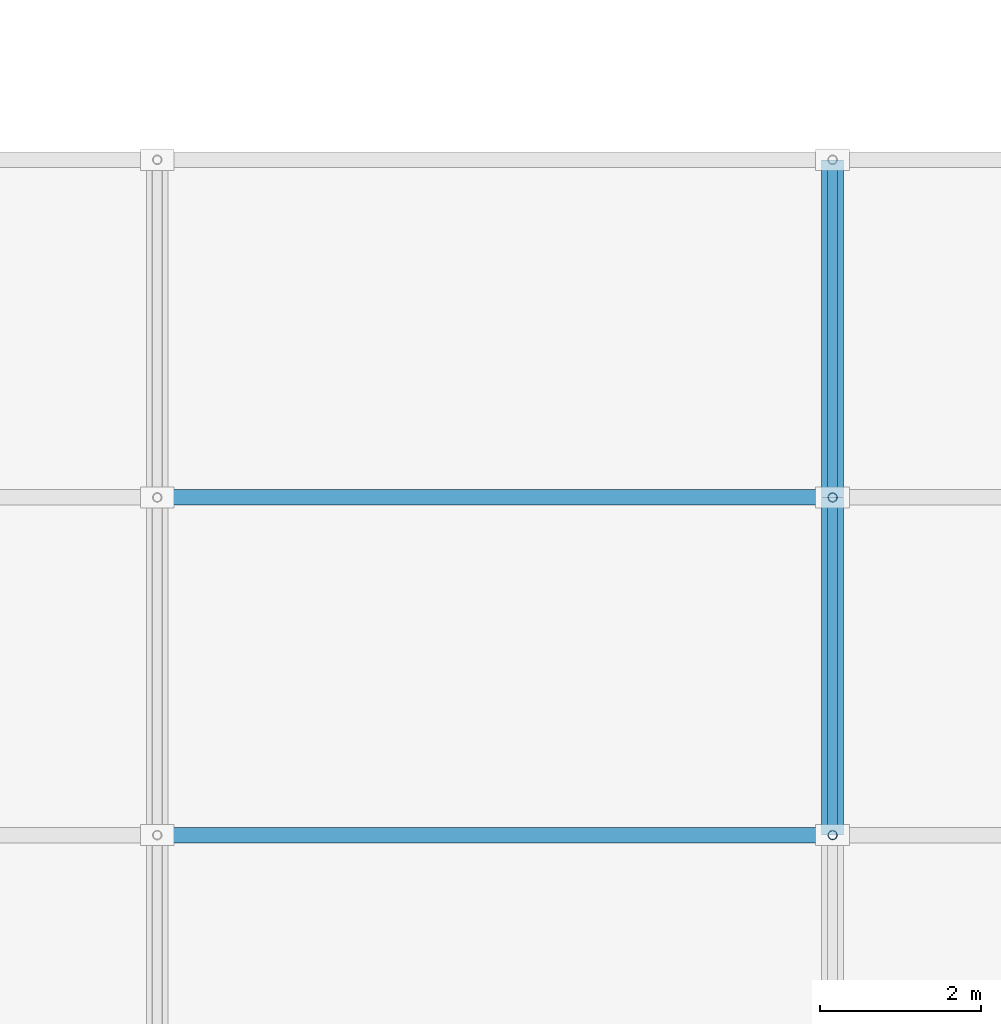
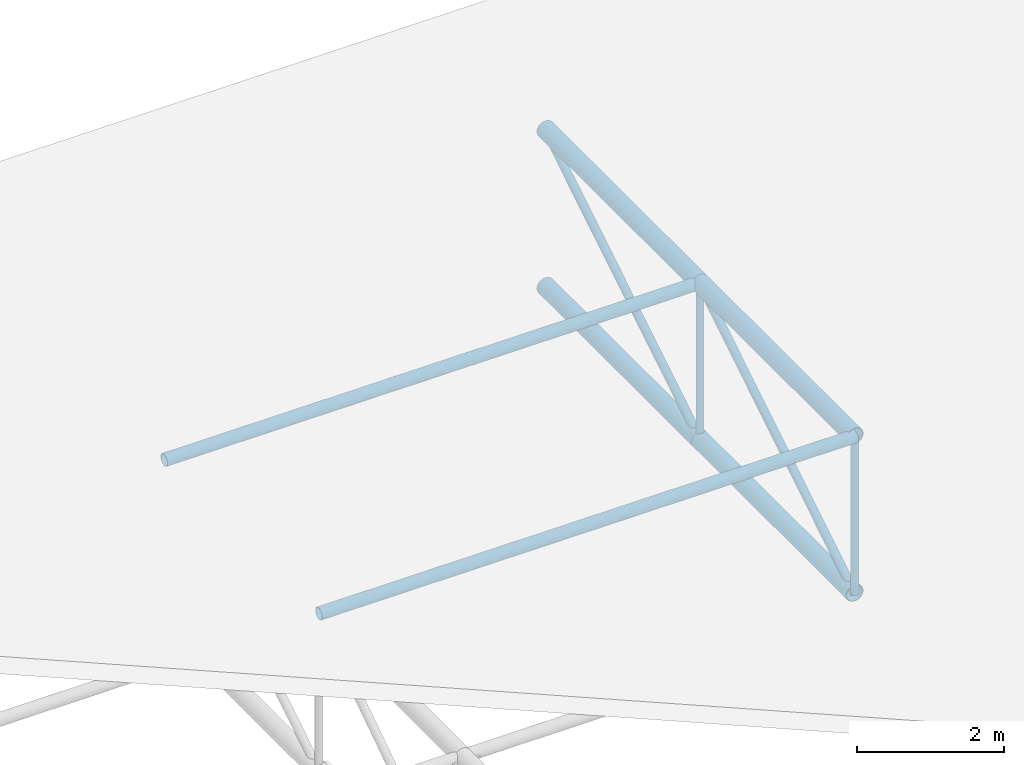
# One storey, part 35 of 140: 6 members, 4 beams.
"""IFC4 building model written with IfcOpenShell, lengths in metres."""

from ifc_helpers import new_model, si_unit, direction, frame, origin, origin_2d, place, context, subcontext, project, spatial, hollow_circle, extrude, material, material_profile, profile_set, type_object, element, save


model = new_model("IFC4")

# Units and contexts
model_context = context("Model", 3, precision=1e-05, world=origin(), true_north=direction((0.0, 1.0)))
body_context = subcontext(model_context, "Body", "Model", "MODEL_VIEW")
ifc_project = project(units=[si_unit("LENGTHUNIT", "METRE"), si_unit("AREAUNIT", "SQUARE_METRE"), si_unit("VOLUMEUNIT", "CUBIC_METRE"), si_unit("PLANEANGLEUNIT", "RADIAN"), si_unit("MASSUNIT", "GRAM", prefix="KILO")], contexts=[model_context])

# Site, building, storey
site_placement = place(None, origin())
site = spatial("IfcSite", under=ifc_project, at=site_placement, CompositionType="ELEMENT")
building_placement = place(site_placement, origin())
building = spatial("IfcBuilding", under=site, at=building_placement, Name="Varnapada Polytechnic", CompositionType="ELEMENT")
storey_placement = place(building_placement, frame((0.0, 0.0, 13.800048828125)))
storey = spatial("IfcBuildingStorey", under=building, at=storey_placement, Name="L03", CompositionType="ELEMENT", Elevation=13.800048828125)

# Members
ifc_material = material(Name="Steel S355", Category="steel")
ifc_material_profile_1 = material_profile(ifc_material, hollow_circle(Radius=0.096923828125, WallThickness=0.00634765625, at=origin_2d()), Name="CHS 193.7x6.3")
ifc_profile_set_1 = profile_set([ifc_material_profile_1], Name="Steel S355")
member_type_1 = type_object("IfcMemberType", Name="Canopy space frame longitudinal chord SFC-03 (CHS 193.7x6.3)", PredefinedType="CHORD", material=ifc_profile_set_1)
for number, where, z_axis, x_axis, name in (
    (1, (92.39990234375, 21.0, -1.35009765625), (1.0, 0.0, 0.0), (0.0, 1.0, 0.0), "Entrance canopy longitudinal chord 3.2"),
    (2, (92.39990234375, 16.800048828125, -1.35009765625), (1.0, 0.0, 0.0), (0.0, 1.0, 0.0), "Entrance canopy longitudinal chord 3.3"),
):
    element("IfcMember", number, at=place(storey_placement, frame(where, z_axis=z_axis, x_axis=x_axis)), inside=storey, type_object=member_type_1, Name=name, PredefinedType="CHORD", context=body_context, shape_type="SweptSolid", body=[
        extrude(hollow_circle(Radius=0.096923828125, WallThickness=0.00634765625, at=origin_2d()), origin(), (0.0, 0.0, 1.0), 8.400146484375),
    ])
ifc_material_profile_2 = material_profile(ifc_material, hollow_circle(Radius=0.05712890625, WallThickness=0.0048828125, at=origin_2d()), Name="CHS 114.3x5.0")
ifc_profile_set_2 = profile_set([ifc_material_profile_2], Name="Steel S355")
member_type_2 = type_object("IfcMemberType", Name="Canopy space frame web strut SFS-02 (CHS 114.3x5.0)", PredefinedType="STRUT", material=ifc_profile_set_2)
for number, where, z_axis, x_axis, name in (
    (3, (100.800048828125, 21.0, -3.949951171875), (0.0, 0.0, 1.0), (1.0, 0.0, 0.0), "Entrance canopy space frame post 4.2"),
    (4, (100.800048828125, 16.800048828125, -3.949951171875), (0.0, 0.0, 1.0), (1.0, 0.0, 0.0), "Entrance canopy space frame post 4.3"),
):
    element("IfcMember", number, at=place(storey_placement, frame(where, z_axis=z_axis, x_axis=x_axis)), inside=storey, type_object=member_type_2, Name=name, PredefinedType="STRUT", context=body_context, shape_type="SweptSolid", body=[
        extrude(hollow_circle(Radius=0.05712890625, WallThickness=0.0048828125, at=origin_2d()), origin(), (0.0, 0.0, 1.0), 2.599853515625),
    ])
ifc_material_profile_3 = material_profile(ifc_material, hollow_circle(Radius=0.0634765625, WallThickness=0.0048828125, at=origin_2d()), Name="CHS 127.0x5.0")
ifc_profile_set_3 = profile_set([ifc_material_profile_3], Name="Steel S355")
member_type_3 = type_object("IfcMemberType", Name="Canopy web diagonal SFB-04 (CHS 127.0x5.0)", PredefinedType="BRACE", material=ifc_profile_set_3)
for number, where, z_axis, x_axis, name in (
    (5, (100.800048828125, 25.199951171875, -1.35009765625), (0.0, -0.85027567993, -0.526337598999), (1.0, 0.0, 0.0), "Entrance canopy space frame web brace 4.1"),
    (6, (100.800048828125, 21.0, -1.35009765625), (0.0, -0.85027567993, -0.526337598999), (1.0, 0.0, 0.0), "Entrance canopy space frame web brace 4.2"),
):
    element("IfcMember", number, at=place(storey_placement, frame(where, z_axis=z_axis, x_axis=x_axis)), inside=storey, type_object=member_type_3, Name=name, PredefinedType="BRACE", context=body_context, shape_type="SweptSolid", body=[
        extrude(hollow_circle(Radius=0.0634765625, WallThickness=0.0048828125, at=origin_2d()), origin(), (0.0, 0.0, 1.0), 4.939453125),
    ])

# Beams
ifc_material_profile_4 = material_profile(ifc_material, hollow_circle(Radius=0.136474609375, WallThickness=0.010009765625, at=origin_2d()), Name="CHS 273.0x10.0")
ifc_profile_set_4 = profile_set([ifc_material_profile_4], Name="Steel S355")
beam_type = type_object("IfcBeamType", Name="Vaulted space frame canopy chord beam VA-03 (CHS 273.0x10.0)", PredefinedType="BEAM", material=ifc_profile_set_4)
for number, where, z_axis, x_axis, name in (
    (7, (100.800048828125, 25.199951171875, -3.949951171875), (0.0, -1.0, 0.0), (1.0, 0.0, 0.0), "Entrance canopy space frame bottom chord 4.1"),
    (8, (100.800048828125, 25.199951171875, -1.35009765625), (0.0, -1.0, 0.0), (1.0, 0.0, 0.0), "Entrance canopy space frame top chord 4.1"),
    (9, (100.800048828125, 21.0, -3.949951171875), (0.0, -1.0, 0.0), (1.0, 0.0, 0.0), "Entrance canopy space frame bottom chord 4.2"),
    (10, (100.800048828125, 21.0, -1.35009765625), (0.0, -1.0, 0.0), (1.0, 0.0, 0.0), "Entrance canopy space frame top chord 4.2"),
):
    element("IfcBeam", number, at=place(storey_placement, frame(where, z_axis=z_axis, x_axis=x_axis)), inside=storey, type_object=beam_type, Name=name, PredefinedType="BEAM", context=body_context, shape_type="SweptSolid", body=[
        extrude(hollow_circle(Radius=0.136474609375, WallThickness=0.010009765625, at=origin_2d()), origin(), (0.0, 0.0, 1.0), 4.199951171875),
    ])

save(model, "model.ifc")
